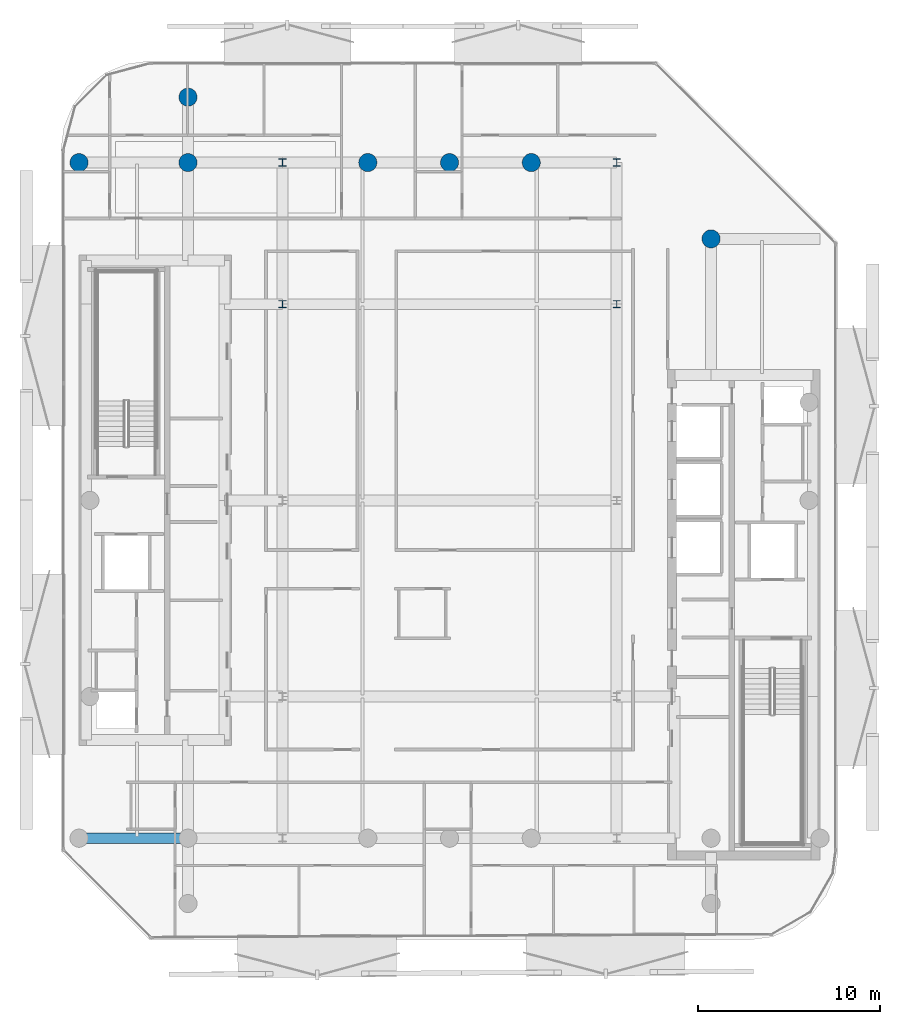
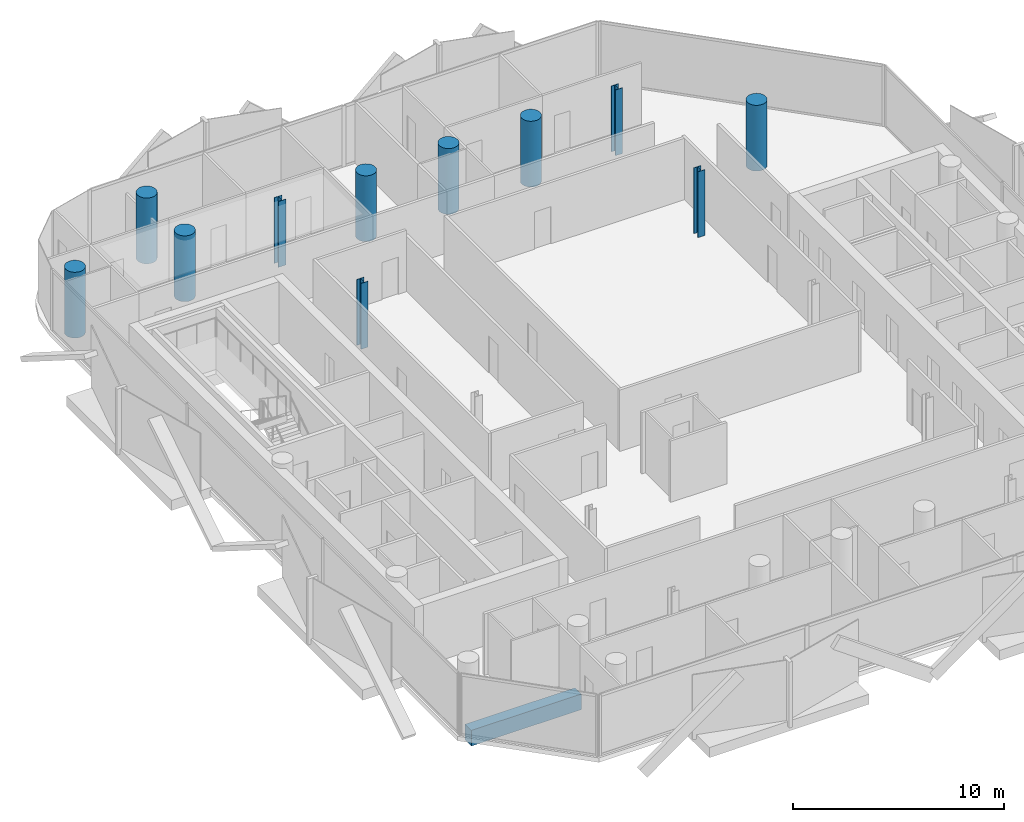
# One storey, part 2 of 16: 11 columns, 1 beam.
"""IFC4 building model written with IfcOpenShell, lengths in metres."""

from ifc_helpers import new_model, si_unit, direction, frame, origin, origin_2d, place, context, subcontext, project, spatial, rectangle, circle, i_section, extrude, material, material_profile, profile_set, type_object, element, save


model = new_model("IFC4")

# Units and contexts
model_context = context("Model", 3, precision=1e-05, world=origin(), true_north=direction((0.0, 1.0)))
body_context = subcontext(model_context, "Body", "Model", "MODEL_VIEW")
ifc_project = project(units=[si_unit("LENGTHUNIT", "METRE"), si_unit("AREAUNIT", "SQUARE_METRE"), si_unit("VOLUMEUNIT", "CUBIC_METRE"), si_unit("PLANEANGLEUNIT", "RADIAN"), si_unit("MASSUNIT", "GRAM", prefix="KILO")], contexts=[model_context])

# Site, building, storey
site_placement = place(None, origin())
site = spatial("IfcSite", under=ifc_project, at=site_placement, CompositionType="ELEMENT")
building_placement = place(site_placement, origin())
building = spatial("IfcBuilding", under=site, at=building_placement, Name="Khairoan Windgate Tower", CompositionType="ELEMENT")
storey_placement = place(building_placement, frame((0.0, 0.0, 277.60009765625)))
storey = spatial("IfcBuildingStorey", under=building, at=storey_placement, Name="L66", CompositionType="ELEMENT", Elevation=277.60009765625)

# Columns
ifc_material_1 = material(Name="Concrete C60/75", Category="concrete")
ifc_material_profile_1 = material_profile(ifc_material_1, circle(Radius=0.5, at=origin_2d()))
ifc_profile_set_1 = profile_set([ifc_material_profile_1], Name="Concrete C60/75")
column_type_1 = type_object("IfcColumnType", Name="Column C-P1 RC-D1000", PredefinedType="COLUMN", material=ifc_profile_set_1)
for number, where, z_axis, x_axis, name in (
    (1, (-20.39990234375, 18.60009765625, 0.0), (0.0, 0.0, 1.0), (1.0, 0.0, 0.0), "Column L66-12"),
    (2, (-14.39990234375, 18.60009765625, 0.0), (0.0, 0.0, 1.0), (1.0, 0.0, 0.0), "Column L66-15"),
    (3, (14.39990234375, 14.39990234375, 0.0), (0.0, 0.0, 1.0), (1.0, 0.0, 0.0), "Column L66-17"),
    (4, (-4.5, 18.60009765625, 0.0), (0.0, 0.0, 1.0), (1.0, 0.0, 0.0), "Column L66-21"),
    (5, (0.0, 18.60009765625, 0.0), (0.0, 0.0, 1.0), (1.0, 0.0, 0.0), "Column L66-22"),
    (6, (4.5, 18.60009765625, 0.0), (0.0, 0.0, 1.0), (1.0, 0.0, 0.0), "Column L66-23"),
    (7, (-14.39990234375, 22.199951171875, 0.0), (0.0, 0.0, 1.0), (1.0, 0.0, 0.0), "Column L66-29"),
):
    element("IfcColumn", number, at=place(storey_placement, frame(where, z_axis=z_axis, x_axis=x_axis)), inside=storey, type_object=column_type_1, Name=name, PredefinedType="COLUMN", context=body_context, shape_type="SweptSolid", body=[
        extrude(circle(Radius=0.5, at=origin_2d()), origin(), (0.0, 0.0, 1.0), 3.7998046875),
    ])
ifc_material_2 = material(Name="Steel S355", Category="steel")
ifc_material_profile_2 = material_profile(ifc_material_2, i_section(OverallWidth=0.39990234375, OverallDepth=0.39990234375, WebThickness=0.012939453125, FlangeThickness=0.02099609375, FilletRadius=0.02197265625, at=origin_2d()))
ifc_profile_set_2 = profile_set([ifc_material_profile_2], Name="Steel S355")
column_type_2 = type_object("IfcColumnType", Name="Steel Column SC4 H400x400x13x21", PredefinedType="COLUMN", material=ifc_profile_set_2)
for number, where, z_axis, x_axis, name in (
    (8, (-9.199951171875, 10.800048828125, 0.0), (0.0, 0.0, 1.0), (1.0, 0.0, 0.0), "Column L66-04"),
    (9, (-9.199951171875, 18.60009765625, 0.0), (0.0, 0.0, 1.0), (1.0, 0.0, 0.0), "Column L66-05"),
    (10, (9.199951171875, 10.800048828125, 0.0), (0.0, 0.0, 1.0), (1.0, 0.0, 0.0), "Column L66-09"),
    (11, (9.199951171875, 18.60009765625, 0.0), (0.0, 0.0, 1.0), (1.0, 0.0, 0.0), "Column L66-10"),
):
    element("IfcColumn", number, at=place(storey_placement, frame(where, z_axis=z_axis, x_axis=x_axis)), inside=storey, type_object=column_type_2, Name=name, PredefinedType="COLUMN", context=body_context, shape_type="SweptSolid", body=[
        extrude(i_section(OverallWidth=0.39990234375, OverallDepth=0.39990234375, WebThickness=0.012939453125, FlangeThickness=0.02099609375, FilletRadius=0.02197265625, at=origin_2d()), origin(), (0.0, 0.0, 1.0), 3.7998046875),
    ])

# Beam
ifc_material_3 = material(Name="Concrete C50/60", Category="concrete")
ifc_material_profile_3 = material_profile(ifc_material_3, rectangle(XDim=0.60009765625, YDim=0.89990234375, at=origin_2d()))
ifc_profile_set_3 = profile_set([ifc_material_profile_3], Name="Concrete C50/60")
beam_type = type_object("IfcBeamType", Name="Beam B-RC1 RC600x900", PredefinedType="BEAM", material=ifc_profile_set_3)
beam_placement = place(storey_placement, frame((-20.39990234375, -18.60009765625, -0.710205078125), z_axis=(1.0, 0.0, 0.0), x_axis=(0.0, 1.0, 0.0)))
element("IfcBeam", 12, at=beam_placement, inside=storey, type_object=beam_type, Name="L66 E-W Primary Girder 01", PredefinedType="BEAM", context=body_context, shape_type="SweptSolid", body=[
    extrude(rectangle(XDim=0.60009765625, YDim=0.89990234375, at=origin_2d()), origin(), (0.0, 0.0, 1.0), 6.0),
])

save(model, "model.ifc")
